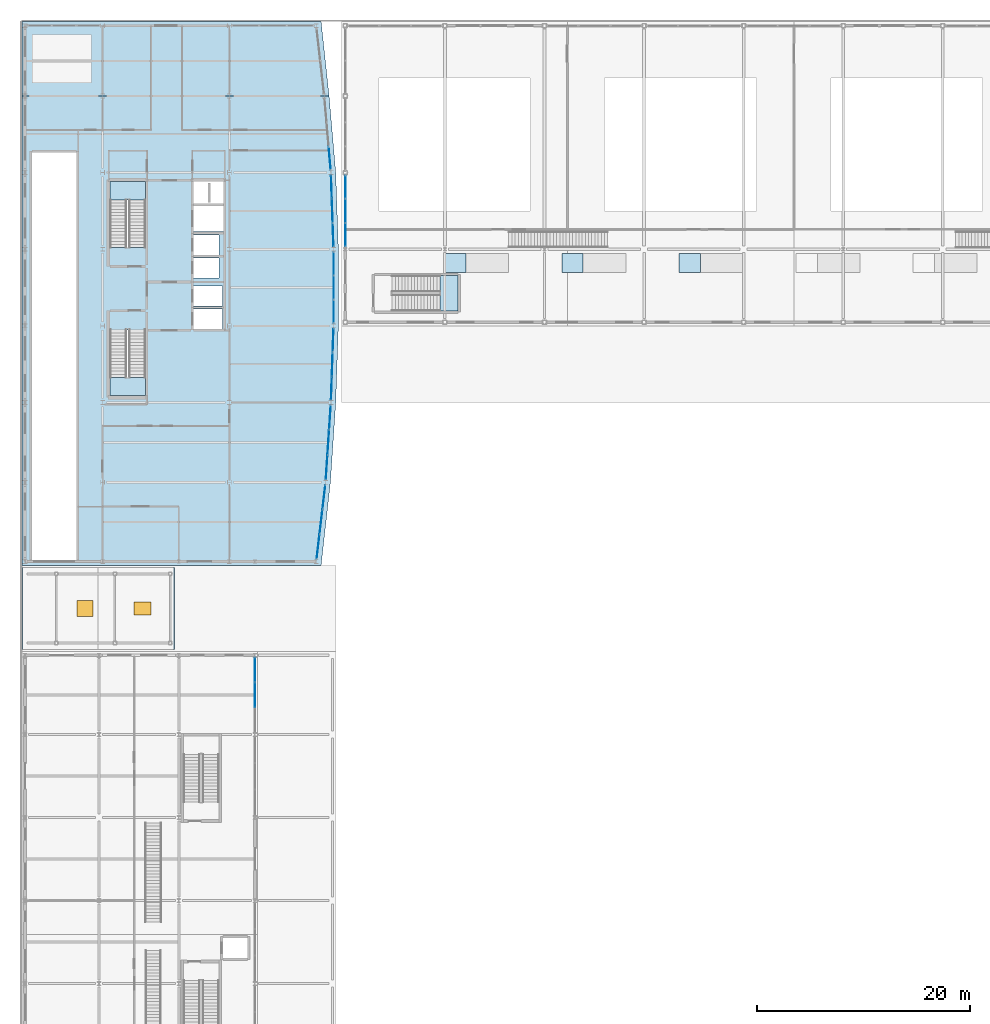
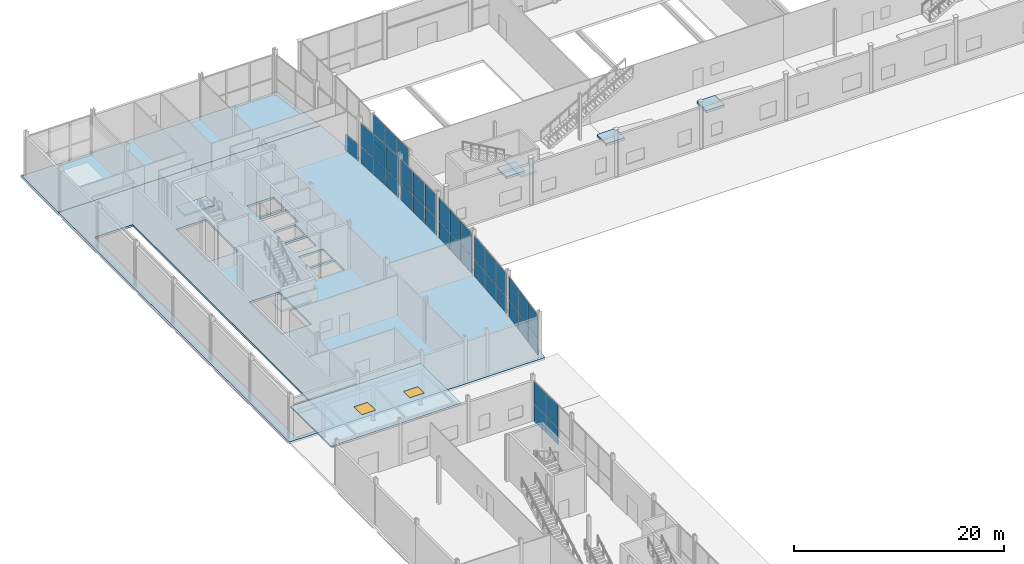
# One storey, part 56 of 83: 41 plates, 9 slabs, 2 windows, 2 openings, 11 elements without a shape of their own.
"""IFC4 building model written with IfcOpenShell, lengths in metres."""

from ifc_helpers import new_model, si_unit, direction, frame, origin, origin_2d, place, context, subcontext, project, spatial, polyline, rectangle, outline, extrude, material, layer, layer_set, type_object, element, fill, aggregate, save


model = new_model("IFC4")

# Units and contexts
model_context = context("Model", 3, precision=1e-05, world=origin(), true_north=direction((0.0, 1.0)))
body_context = subcontext(model_context, "Body", "Model", "MODEL_VIEW")
ifc_project = project(units=[si_unit("LENGTHUNIT", "METRE"), si_unit("AREAUNIT", "SQUARE_METRE"), si_unit("VOLUMEUNIT", "CUBIC_METRE"), si_unit("PLANEANGLEUNIT", "RADIAN"), si_unit("MASSUNIT", "GRAM", prefix="KILO")], contexts=[model_context])

# Site, building, storey
site_placement = place(None, origin())
site = spatial("IfcSite", under=ifc_project, at=site_placement, CompositionType="ELEMENT")
building_placement = place(site_placement, origin())
building = spatial("IfcBuilding", under=site, at=building_placement, Name="Quillay Park Conservatory", CompositionType="ELEMENT")
storey_placement = place(building_placement, origin())
storey = spatial("IfcBuildingStorey", under=building, at=storey_placement, Name="L00", CompositionType="ELEMENT", Elevation=0.0)

# Curtain wall, plates
ifc_material_1 = material(Name="Thermally Broken Anodised Aluminium 6063-T6", Category="aluminium")
ifc_layer_1 = layer(ifc_material_1, 0.179931640625)
ifc_layer_set_1 = layer_set([ifc_layer_1], Name="UNITISED CURTAIN WALL TOWER (Thermally Broken Anodised Aluminium 6063-T6)")
curtain_wall_type_1 = type_object("IfcCurtainWallType", Name="UNITISED CURTAIN WALL TOWER", PredefinedType="USERDEFINED", material=ifc_layer_set_1)
curtain_wall_1_placement = place(storey_placement, origin())
curtain_wall_1 = element("IfcCurtainWall", 1, at=curtain_wall_1_placement, inside=storey, type_object=curtain_wall_type_1, Name="L00 Unitised Curtain Wall 001", ObjectType="UNITISED CURTAIN WALL", PredefinedType="USERDEFINED")
ifc_material_2 = material(Name="Low-E Double Glazing (Laminated Tempered)", Category="glass")
ifc_layer_2 = layer(ifc_material_2, 0.028076171875)
ifc_layer_set_2 = layer_set([ifc_layer_2], Name="CURTAIN WALL GLAZED PANEL 28 (Low-E Double Glazing (Laminated Tempered))")
plate_type_1 = type_object("IfcPlateType", Name="CURTAIN WALL GLAZED PANEL 28", PredefinedType="CURTAIN_PANEL", material=ifc_layer_set_2)
plate_1_placement = place(storey_placement, frame((28.636474609375, 69.108642578125, 0.06982421875), z_axis=(0.0, 0.0, 1.0), x_axis=(-0.116654959918, -0.993172502804, 0.0)))
plate_1 = element("IfcPlate", 2, at=plate_1_placement, type_object=plate_type_1, Name="CW-T1 panel 1.1", PredefinedType="CURTAIN_PANEL", context=body_context, shape_type="SweptSolid", body=[
    extrude(rectangle(XDim=2.26220703125, YDim=0.028076171875, at=origin_2d()), origin(), (0.0, 0.0, 1.0), 1.906494140625),
])
plate_2_placement = place(storey_placement, frame((28.636474609375, 69.108642578125, 2.04638671875), z_axis=(0.0, 0.0, 1.0), x_axis=(-0.116654959918, -0.993172502804, 0.0)))
plate_2 = element("IfcPlate", 3, at=plate_2_placement, type_object=plate_type_1, Name="CW-T1 panel 1.2", PredefinedType="CURTAIN_PANEL", context=body_context, shape_type="SweptSolid", body=[
    extrude(rectangle(XDim=2.26220703125, YDim=0.028076171875, at=origin_2d()), origin(), (0.0, 0.0, 1.0), 2.672607421875),
])
plate_3_placement = place(storey_placement, frame((28.362548828125, 66.77490234375, 0.06982421875), z_axis=(0.0, 0.0, 1.0), x_axis=(-0.116654959918, -0.993172502804, 0.0)))
plate_3 = element("IfcPlate", 4, at=plate_3_placement, type_object=plate_type_1, Name="CW-T1 panel 2.1", PredefinedType="CURTAIN_PANEL", context=body_context, shape_type="SweptSolid", body=[
    extrude(rectangle(XDim=2.297119140625, YDim=0.028076171875, at=origin_2d()), origin(), (0.0, 0.0, 1.0), 1.906494140625),
])
plate_4_placement = place(storey_placement, frame((28.362548828125, 66.77490234375, 2.04638671875), z_axis=(0.0, 0.0, 1.0), x_axis=(-0.116654959918, -0.993172502804, 0.0)))
plate_4 = element("IfcPlate", 5, at=plate_4_placement, type_object=plate_type_1, Name="CW-T1 panel 2.2", PredefinedType="CURTAIN_PANEL", context=body_context, shape_type="SweptSolid", body=[
    extrude(rectangle(XDim=2.297119140625, YDim=0.028076171875, at=origin_2d()), origin(), (0.0, 0.0, 1.0), 2.672607421875),
])
plate_5_placement = place(storey_placement, frame((28.08837890625, 64.44140625, 0.06982421875), z_axis=(0.0, 0.0, 1.0), x_axis=(-0.116654959918, -0.993172502804, 0.0)))
plate_5 = element("IfcPlate", 6, at=plate_5_placement, type_object=plate_type_1, Name="CW-T1 panel 3.1", PredefinedType="CURTAIN_PANEL", context=body_context, shape_type="SweptSolid", body=[
    extrude(rectangle(XDim=2.26220703125, YDim=0.028076171875, at=origin_2d()), origin(), (0.0, 0.0, 1.0), 1.906494140625),
])
plate_6_placement = place(storey_placement, frame((28.08837890625, 64.44140625, 2.04638671875), z_axis=(0.0, 0.0, 1.0), x_axis=(-0.116654959918, -0.993172502804, 0.0)))
plate_6 = element("IfcPlate", 7, at=plate_6_placement, type_object=plate_type_1, Name="CW-T1 panel 3.2", PredefinedType="CURTAIN_PANEL", context=body_context, shape_type="SweptSolid", body=[
    extrude(rectangle(XDim=2.26220703125, YDim=0.028076171875, at=origin_2d()), origin(), (0.0, 0.0, 1.0), 2.672607421875),
])
aggregate(curtain_wall_1, [plate_1, plate_2, plate_3, plate_4, plate_5, plate_6])

curtain_wall_2_placement = place(storey_placement, origin())
curtain_wall_2 = element("IfcCurtainWall", 8, at=curtain_wall_2_placement, inside=storey, type_object=curtain_wall_type_1, Name="L00 Unitised Curtain Wall 002", ObjectType="UNITISED CURTAIN WALL", PredefinedType="USERDEFINED")
plate_7_placement = place(storey_placement, frame((29.20654296875, 76.599365234375, 0.06982421875), z_axis=(0.0, 0.0, 1.0), x_axis=(-0.0665208758, -0.997785033503, 0.0)))
plate_7 = element("IfcPlate", 9, at=plate_7_placement, type_object=plate_type_1, Name="CW-T1 panel 1.1", PredefinedType="CURTAIN_PANEL", context=body_context, shape_type="SweptSolid", body=[
    extrude(rectangle(XDim=2.26708984375, YDim=0.028076171875, at=origin_2d()), origin(), (0.0, 0.0, 1.0), 1.906494140625),
])
plate_8_placement = place(storey_placement, frame((29.20654296875, 76.599365234375, 2.04638671875), z_axis=(0.0, 0.0, 1.0), x_axis=(-0.0665208758, -0.997785033503, 0.0)))
plate_8 = element("IfcPlate", 10, at=plate_8_placement, type_object=plate_type_1, Name="CW-T1 panel 1.2", PredefinedType="CURTAIN_PANEL", context=body_context, shape_type="SweptSolid", body=[
    extrude(rectangle(XDim=2.26708984375, YDim=0.028076171875, at=origin_2d()), origin(), (0.0, 0.0, 1.0), 2.672607421875),
])
plate_9_placement = place(storey_placement, frame((29.050048828125, 74.25, 0.06982421875), z_axis=(0.0, 0.0, 1.0), x_axis=(-0.0665208758, -0.997785033503, 0.0)))
plate_9 = element("IfcPlate", 11, at=plate_9_placement, type_object=plate_type_1, Name="CW-T1 panel 2.1", PredefinedType="CURTAIN_PANEL", context=body_context, shape_type="SweptSolid", body=[
    extrude(rectangle(XDim=2.30224609375, YDim=0.028076171875, at=origin_2d()), origin(), (0.0, 0.0, 1.0), 1.906494140625),
])
plate_10_placement = place(storey_placement, frame((29.050048828125, 74.25, 2.04638671875), z_axis=(0.0, 0.0, 1.0), x_axis=(-0.0665208758, -0.997785033503, 0.0)))
plate_10 = element("IfcPlate", 12, at=plate_10_placement, type_object=plate_type_1, Name="CW-T1 panel 2.2", PredefinedType="CURTAIN_PANEL", context=body_context, shape_type="SweptSolid", body=[
    extrude(rectangle(XDim=2.30224609375, YDim=0.028076171875, at=origin_2d()), origin(), (0.0, 0.0, 1.0), 2.672607421875),
])
plate_11_placement = place(storey_placement, frame((28.893310546875, 71.900634765625, 0.06982421875), z_axis=(0.0, 0.0, 1.0), x_axis=(-0.0665208758, -0.997785033503, 0.0)))
plate_11 = element("IfcPlate", 13, at=plate_11_placement, type_object=plate_type_1, Name="CW-T1 panel 3.1", PredefinedType="CURTAIN_PANEL", context=body_context, shape_type="SweptSolid", body=[
    extrude(rectangle(XDim=2.26708984375, YDim=0.028076171875, at=origin_2d()), origin(), (0.0, 0.0, 1.0), 1.906494140625),
])
plate_12_placement = place(storey_placement, frame((28.893310546875, 71.900634765625, 2.04638671875), z_axis=(0.0, 0.0, 1.0), x_axis=(-0.0665208758, -0.997785033503, 0.0)))
plate_12 = element("IfcPlate", 14, at=plate_12_placement, type_object=plate_type_1, Name="CW-T1 panel 3.2", PredefinedType="CURTAIN_PANEL", context=body_context, shape_type="SweptSolid", body=[
    extrude(rectangle(XDim=2.26708984375, YDim=0.028076171875, at=origin_2d()), origin(), (0.0, 0.0, 1.0), 2.672607421875),
])
aggregate(curtain_wall_2, [plate_7, plate_8, plate_9, plate_10, plate_11, plate_12])

curtain_wall_3_placement = place(storey_placement, origin())
curtain_wall_3 = element("IfcCurtainWall", 15, at=curtain_wall_3_placement, inside=storey, type_object=curtain_wall_type_1, Name="L00 Unitised Curtain Wall 003", ObjectType="UNITISED CURTAIN WALL", PredefinedType="USERDEFINED")
plate_13_placement = place(storey_placement, frame((29.503173828125, 83.849365234375, 0.06982421875), z_axis=(0.0, 0.0, 1.0), x_axis=(-0.034713338537, -0.999397310446, 0.0)))
plate_13 = element("IfcPlate", 16, at=plate_13_placement, type_object=plate_type_1, Name="CW-T1 panel 1.1", PredefinedType="CURTAIN_PANEL", context=body_context, shape_type="SweptSolid", body=[
    extrude(rectangle(XDim=2.1630859375, YDim=0.028076171875, at=origin_2d()), origin(), (0.0, 0.0, 1.0), 1.906494140625),
])
plate_14_placement = place(storey_placement, frame((29.503173828125, 83.849365234375, 2.04638671875), z_axis=(0.0, 0.0, 1.0), x_axis=(-0.034713338537, -0.999397310446, 0.0)))
plate_14 = element("IfcPlate", 17, at=plate_14_placement, type_object=plate_type_1, Name="CW-T1 panel 1.2", PredefinedType="CURTAIN_PANEL", context=body_context, shape_type="SweptSolid", body=[
    extrude(rectangle(XDim=2.1630859375, YDim=0.028076171875, at=origin_2d()), origin(), (0.0, 0.0, 1.0), 2.672607421875),
])
plate_15_placement = place(storey_placement, frame((29.425048828125, 81.60009765625, 0.06982421875), z_axis=(0.0, 0.0, 1.0), x_axis=(-0.034713338537, -0.999397310446, 0.0)))
plate_15 = element("IfcPlate", 18, at=plate_15_placement, type_object=plate_type_1, Name="CW-T1 panel 2.1", PredefinedType="CURTAIN_PANEL", context=body_context, shape_type="SweptSolid", body=[
    extrude(rectangle(XDim=2.197998046875, YDim=0.028076171875, at=origin_2d()), origin(), (0.0, 0.0, 1.0), 1.906494140625),
])
plate_16_placement = place(storey_placement, frame((29.425048828125, 81.60009765625, 2.04638671875), z_axis=(0.0, 0.0, 1.0), x_axis=(-0.034713338537, -0.999397310446, 0.0)))
plate_16 = element("IfcPlate", 19, at=plate_16_placement, type_object=plate_type_1, Name="CW-T1 panel 2.2", PredefinedType="CURTAIN_PANEL", context=body_context, shape_type="SweptSolid", body=[
    extrude(rectangle(XDim=2.197998046875, YDim=0.028076171875, at=origin_2d()), origin(), (0.0, 0.0, 1.0), 2.672607421875),
])
plate_17_placement = place(storey_placement, frame((29.346923828125, 79.350830078125, 0.06982421875), z_axis=(0.0, 0.0, 1.0), x_axis=(-0.034713338537, -0.999397310446, 0.0)))
plate_17 = element("IfcPlate", 20, at=plate_17_placement, type_object=plate_type_1, Name="CW-T1 panel 3.1", PredefinedType="CURTAIN_PANEL", context=body_context, shape_type="SweptSolid", body=[
    extrude(rectangle(XDim=2.1630859375, YDim=0.028076171875, at=origin_2d()), origin(), (0.0, 0.0, 1.0), 1.906494140625),
])
plate_18_placement = place(storey_placement, frame((29.346923828125, 79.350830078125, 2.04638671875), z_axis=(0.0, 0.0, 1.0), x_axis=(-0.034713338537, -0.999397310446, 0.0)))
plate_18 = element("IfcPlate", 21, at=plate_18_placement, type_object=plate_type_1, Name="CW-T1 panel 3.2", PredefinedType="CURTAIN_PANEL", context=body_context, shape_type="SweptSolid", body=[
    extrude(rectangle(XDim=2.1630859375, YDim=0.028076171875, at=origin_2d()), origin(), (0.0, 0.0, 1.0), 2.672607421875),
])
aggregate(curtain_wall_3, [plate_13, plate_14, plate_15, plate_16, plate_17, plate_18])

curtain_wall_4_placement = place(storey_placement, origin())
curtain_wall_4 = element("IfcCurtainWall", 22, at=curtain_wall_4_placement, inside=storey, type_object=curtain_wall_type_1, Name="L00 Unitised Curtain Wall 004", ObjectType="UNITISED CURTAIN WALL", PredefinedType="USERDEFINED")
plate_19_placement = place(storey_placement, frame((29.550048828125, 91.049072265625, 0.06982421875), z_axis=(0.0, 0.0, 1.0), x_axis=(0.0, -1.0, 0.0)))
plate_19 = element("IfcPlate", 23, at=plate_19_placement, type_object=plate_type_1, Name="CW-T1 panel 1.1", PredefinedType="CURTAIN_PANEL", context=body_context, shape_type="SweptSolid", body=[
    extrude(rectangle(XDim=2.16162109375, YDim=0.028076171875, at=origin_2d()), origin(), (0.0, 0.0, 1.0), 1.906494140625),
])
plate_20_placement = place(storey_placement, frame((29.550048828125, 91.049072265625, 2.04638671875), z_axis=(0.0, 0.0, 1.0), x_axis=(0.0, -1.0, 0.0)))
plate_20 = element("IfcPlate", 24, at=plate_20_placement, type_object=plate_type_1, Name="CW-T1 panel 1.2", PredefinedType="CURTAIN_PANEL", context=body_context, shape_type="SweptSolid", body=[
    extrude(rectangle(XDim=2.16162109375, YDim=0.028076171875, at=origin_2d()), origin(), (0.0, 0.0, 1.0), 2.672607421875),
])
plate_21_placement = place(storey_placement, frame((29.550048828125, 88.800048828125, 0.06982421875), z_axis=(0.0, 0.0, 1.0), x_axis=(0.0, -1.0, 0.0)))
plate_21 = element("IfcPlate", 25, at=plate_21_placement, type_object=plate_type_1, Name="CW-T1 panel 2.1", PredefinedType="CURTAIN_PANEL", context=body_context, shape_type="SweptSolid", body=[
    extrude(rectangle(XDim=2.19677734375, YDim=0.028076171875, at=origin_2d()), origin(), (0.0, 0.0, 1.0), 1.906494140625),
])
plate_22_placement = place(storey_placement, frame((29.550048828125, 88.800048828125, 2.04638671875), z_axis=(0.0, 0.0, 1.0), x_axis=(0.0, -1.0, 0.0)))
plate_22 = element("IfcPlate", 26, at=plate_22_placement, type_object=plate_type_1, Name="CW-T1 panel 2.2", PredefinedType="CURTAIN_PANEL", context=body_context, shape_type="SweptSolid", body=[
    extrude(rectangle(XDim=2.19677734375, YDim=0.028076171875, at=origin_2d()), origin(), (0.0, 0.0, 1.0), 2.672607421875),
])
plate_23_placement = place(storey_placement, frame((29.550048828125, 86.55078125, 0.06982421875), z_axis=(0.0, 0.0, 1.0), x_axis=(0.0, -1.0, 0.0)))
plate_23 = element("IfcPlate", 27, at=plate_23_placement, type_object=plate_type_1, Name="CW-T1 panel 3.1", PredefinedType="CURTAIN_PANEL", context=body_context, shape_type="SweptSolid", body=[
    extrude(rectangle(XDim=2.16162109375, YDim=0.028076171875, at=origin_2d()), origin(), (0.0, 0.0, 1.0), 1.906494140625),
])
plate_24_placement = place(storey_placement, frame((29.550048828125, 86.55078125, 2.04638671875), z_axis=(0.0, 0.0, 1.0), x_axis=(0.0, -1.0, 0.0)))
plate_24 = element("IfcPlate", 28, at=plate_24_placement, type_object=plate_type_1, Name="CW-T1 panel 3.2", PredefinedType="CURTAIN_PANEL", context=body_context, shape_type="SweptSolid", body=[
    extrude(rectangle(XDim=2.16162109375, YDim=0.028076171875, at=origin_2d()), origin(), (0.0, 0.0, 1.0), 2.672607421875),
])
aggregate(curtain_wall_4, [plate_19, plate_20, plate_21, plate_22, plate_23, plate_24])

curtain_wall_5_placement = place(storey_placement, origin())
curtain_wall_5 = element("IfcCurtainWall", 29, at=curtain_wall_5_placement, inside=storey, type_object=curtain_wall_type_1, Name="L00 Unitised Curtain Wall 005", ObjectType="UNITISED CURTAIN WALL", PredefinedType="USERDEFINED")
plate_25_placement = place(storey_placement, frame((29.346923828125, 98.249267578125, 0.06982421875), z_axis=(0.0, 0.0, 1.0), x_axis=(0.034713338537, -0.999397310446, 0.0)))
plate_25 = element("IfcPlate", 30, at=plate_25_placement, type_object=plate_type_1, Name="CW-T1 panel 1.1", PredefinedType="CURTAIN_PANEL", context=body_context, shape_type="SweptSolid", body=[
    extrude(rectangle(XDim=2.1630859375, YDim=0.028076171875, at=origin_2d()), origin(), (0.0, 0.0, 1.0), 1.906494140625),
])
plate_26_placement = place(storey_placement, frame((29.346923828125, 98.249267578125, 2.04638671875), z_axis=(0.0, 0.0, 1.0), x_axis=(0.034713338537, -0.999397310446, 0.0)))
plate_26 = element("IfcPlate", 31, at=plate_26_placement, type_object=plate_type_1, Name="CW-T1 panel 1.2", PredefinedType="CURTAIN_PANEL", context=body_context, shape_type="SweptSolid", body=[
    extrude(rectangle(XDim=2.1630859375, YDim=0.028076171875, at=origin_2d()), origin(), (0.0, 0.0, 1.0), 2.672607421875),
])
plate_27_placement = place(storey_placement, frame((29.425048828125, 96.0, 0.06982421875), z_axis=(0.0, 0.0, 1.0), x_axis=(0.034713338537, -0.999397310446, 0.0)))
plate_27 = element("IfcPlate", 32, at=plate_27_placement, type_object=plate_type_1, Name="CW-T1 panel 2.1", PredefinedType="CURTAIN_PANEL", context=body_context, shape_type="SweptSolid", body=[
    extrude(rectangle(XDim=2.197998046875, YDim=0.028076171875, at=origin_2d()), origin(), (0.0, 0.0, 1.0), 1.906494140625),
])
plate_28_placement = place(storey_placement, frame((29.425048828125, 96.0, 2.04638671875), z_axis=(0.0, 0.0, 1.0), x_axis=(0.034713338537, -0.999397310446, 0.0)))
plate_28 = element("IfcPlate", 33, at=plate_28_placement, type_object=plate_type_1, Name="CW-T1 panel 2.2", PredefinedType="CURTAIN_PANEL", context=body_context, shape_type="SweptSolid", body=[
    extrude(rectangle(XDim=2.197998046875, YDim=0.028076171875, at=origin_2d()), origin(), (0.0, 0.0, 1.0), 2.672607421875),
])
plate_29_placement = place(storey_placement, frame((29.503173828125, 93.750732421875, 0.06982421875), z_axis=(0.0, 0.0, 1.0), x_axis=(0.034713338537, -0.999397310446, 0.0)))
plate_29 = element("IfcPlate", 34, at=plate_29_placement, type_object=plate_type_1, Name="CW-T1 panel 3.1", PredefinedType="CURTAIN_PANEL", context=body_context, shape_type="SweptSolid", body=[
    extrude(rectangle(XDim=2.1630859375, YDim=0.028076171875, at=origin_2d()), origin(), (0.0, 0.0, 1.0), 1.906494140625),
])
plate_30_placement = place(storey_placement, frame((29.503173828125, 93.750732421875, 2.04638671875), z_axis=(0.0, 0.0, 1.0), x_axis=(0.034713338537, -0.999397310446, 0.0)))
plate_30 = element("IfcPlate", 35, at=plate_30_placement, type_object=plate_type_1, Name="CW-T1 panel 3.2", PredefinedType="CURTAIN_PANEL", context=body_context, shape_type="SweptSolid", body=[
    extrude(rectangle(XDim=2.1630859375, YDim=0.028076171875, at=origin_2d()), origin(), (0.0, 0.0, 1.0), 2.672607421875),
])
aggregate(curtain_wall_5, [plate_25, plate_26, plate_27, plate_28, plate_29, plate_30])

# Curtain wall, plate
curtain_wall_6_placement = place(storey_placement, origin())
curtain_wall_6 = element("IfcCurtainWall", 36, at=curtain_wall_6_placement, inside=storey, type_object=curtain_wall_type_1, Name="L00 Unitised Curtain Wall 006", ObjectType="UNITISED CURTAIN WALL", PredefinedType="USERDEFINED")
plate_31_placement = place(storey_placement, frame((29.182861328125, 100.9501953125, 0.06982421875), z_axis=(0.0, 0.0, 1.0), x_axis=(0.086480444465, -0.996253548413, 0.0)))
plate_31 = element("IfcPlate", 37, at=plate_31_placement, type_object=plate_type_1, Name="CW-T1 panel 3.1", PredefinedType="CURTAIN_PANEL", context=body_context, shape_type="SweptSolid", body=[
    extrude(rectangle(XDim=2.170654296875, YDim=0.028076171875, at=origin_2d()), origin(), (0.0, 0.0, 1.0), 1.906494140625),
])
aggregate(curtain_wall_6, [plate_31])

# Curtain wall, plates
ifc_material_3 = material(Name="Thermally Broken Anodised Aluminium 6063-T6", Category="aluminium")
ifc_layer_3 = layer(ifc_material_3, 0.1650390625)
ifc_layer_set_3 = layer_set([ifc_layer_3], Name="UNITISED CURTAIN WALL PODIUM (Thermally Broken Anodised Aluminium 6063-T6)")
curtain_wall_type_2 = type_object("IfcCurtainWallType", Name="UNITISED CURTAIN WALL PODIUM", PredefinedType="USERDEFINED", material=ifc_layer_set_3)
curtain_wall_7_placement = place(storey_placement, origin())
curtain_wall_7 = element("IfcCurtainWall", 38, at=curtain_wall_7_placement, inside=storey, type_object=curtain_wall_type_2, Name="L00 Unitised Curtain Wall 199", ObjectType="UNITISED CURTAIN WALL", PredefinedType="USERDEFINED")
plate_32_placement = place(storey_placement, frame((22.14990234375, 52.88427734375, 0.070068359375), z_axis=(0.0, 0.0, 1.0), x_axis=(0.0, -1.0, 0.0)))
plate_32 = element("IfcPlate", 39, at=plate_32_placement, type_object=plate_type_1, Name="CW-P1 panel 1.1", PredefinedType="CURTAIN_PANEL", context=body_context, shape_type="SweptSolid", body=[
    extrude(rectangle(XDim=2.271728515625, YDim=0.028076171875, at=origin_2d()), origin(), (0.0, 0.0, 1.0), 1.8896484375),
])
plate_33_placement = place(storey_placement, frame((22.14990234375, 52.88427734375, 2.029541015625), z_axis=(0.0, 0.0, 1.0), x_axis=(0.0, -1.0, 0.0)))
plate_33 = element("IfcPlate", 40, at=plate_33_placement, type_object=plate_type_1, Name="CW-P1 panel 1.2", PredefinedType="CURTAIN_PANEL", context=body_context, shape_type="SweptSolid", body=[
    extrude(rectangle(XDim=2.271728515625, YDim=0.028076171875, at=origin_2d()), origin(), (0.0, 0.0, 1.0), 2.6494140625),
])
plate_34_placement = place(storey_placement, frame((22.14990234375, 50.52490234375, 0.070068359375), z_axis=(0.0, 0.0, 1.0), x_axis=(0.0, -1.0, 0.0)))
plate_34 = element("IfcPlate", 41, at=plate_34_placement, type_object=plate_type_1, Name="CW-P1 panel 2.1", PredefinedType="CURTAIN_PANEL", context=body_context, shape_type="SweptSolid", body=[
    extrude(rectangle(XDim=2.306640625, YDim=0.028076171875, at=origin_2d()), origin(), (0.0, 0.0, 1.0), 1.8896484375),
])
plate_35_placement = place(storey_placement, frame((22.14990234375, 50.52490234375, 2.029541015625), z_axis=(0.0, 0.0, 1.0), x_axis=(0.0, -1.0, 0.0)))
plate_35 = element("IfcPlate", 42, at=plate_35_placement, type_object=plate_type_1, Name="CW-P1 panel 2.2", PredefinedType="CURTAIN_PANEL", context=body_context, shape_type="SweptSolid", body=[
    extrude(rectangle(XDim=2.306640625, YDim=0.028076171875, at=origin_2d()), origin(), (0.0, 0.0, 1.0), 2.6494140625),
])
aggregate(curtain_wall_7, [plate_32, plate_33, plate_34, plate_35])

ifc_material_4 = material(Name="Thermally Broken Anodised Aluminium 6063-T6", Category="aluminium")
ifc_layer_4 = layer(ifc_material_4, 0.219970703125)
ifc_layer_set_4 = layer_set([ifc_layer_4], Name="UNITISED CURTAIN WALL CONSERVATORY (Thermally Broken Anodised Aluminium 6063-T6)")
curtain_wall_type_3 = type_object("IfcCurtainWallType", Name="UNITISED CURTAIN WALL CONSERVATORY", PredefinedType="USERDEFINED", material=ifc_layer_set_4)
curtain_wall_8_placement = place(storey_placement, origin())
curtain_wall_8 = element("IfcCurtainWall", 43, at=curtain_wall_8_placement, inside=storey, type_object=curtain_wall_type_3, Name="L00 Unitised Curtain Wall 163", ObjectType="UNITISED CURTAIN WALL", PredefinedType="USERDEFINED")
ifc_material_5 = material(Name="Low-Iron Laminated Insulated Glazing", Category="glass")
ifc_layer_5 = layer(ifc_material_5, 0.031982421875)
ifc_layer_set_5 = layer_set([ifc_layer_5], Name="CURTAIN WALL GLAZED PANEL 32 (Low-Iron Laminated Insulated Glazing)")
plate_type_2 = type_object("IfcPlateType", Name="CURTAIN WALL GLAZED PANEL 32", PredefinedType="CURTAIN_PANEL", material=ifc_layer_set_5)
plate_36_placement = place(storey_placement, frame((30.64990234375, 93.752197265625, 0.070068359375), z_axis=(0.0, 0.0, 1.0), x_axis=(0.0, 1.0, 0.0)))
plate_36 = element("IfcPlate", 44, at=plate_36_placement, type_object=plate_type_2, Name="CW-C1 panel 1.1", PredefinedType="CURTAIN_PANEL", context=body_context, shape_type="SweptSolid", body=[
    extrude(rectangle(XDim=2.160400390625, YDim=0.031982421875, at=origin_2d()), origin(), (0.0, 0.0, 1.0), 2.1630859375),
])
plate_37_placement = place(storey_placement, frame((30.64990234375, 93.752197265625, 2.302734375), z_axis=(0.0, 0.0, 1.0), x_axis=(0.0, 1.0, 0.0)))
plate_37 = element("IfcPlate", 45, at=plate_37_placement, type_object=plate_type_2, Name="CW-C1 panel 1.2", PredefinedType="CURTAIN_PANEL", context=body_context, shape_type="SweptSolid", body=[
    extrude(rectangle(XDim=2.160400390625, YDim=0.031982421875, at=origin_2d()), origin(), (0.0, 0.0, 1.0), 3.027099609375),
])
plate_38_placement = place(storey_placement, frame((30.64990234375, 96.0, 0.070068359375), z_axis=(0.0, 0.0, 1.0), x_axis=(0.0, 1.0, 0.0)))
plate_38 = element("IfcPlate", 46, at=plate_38_placement, type_object=plate_type_2, Name="CW-C1 panel 2.1", PredefinedType="CURTAIN_PANEL", context=body_context, shape_type="SweptSolid", body=[
    extrude(rectangle(XDim=2.1953125, YDim=0.031982421875, at=origin_2d()), origin(), (0.0, 0.0, 1.0), 2.1630859375),
])
plate_39_placement = place(storey_placement, frame((30.64990234375, 96.0, 2.302734375), z_axis=(0.0, 0.0, 1.0), x_axis=(0.0, 1.0, 0.0)))
plate_39 = element("IfcPlate", 47, at=plate_39_placement, type_object=plate_type_2, Name="CW-C1 panel 2.2", PredefinedType="CURTAIN_PANEL", context=body_context, shape_type="SweptSolid", body=[
    extrude(rectangle(XDim=2.1953125, YDim=0.031982421875, at=origin_2d()), origin(), (0.0, 0.0, 1.0), 3.027099609375),
])
plate_40_placement = place(storey_placement, frame((30.64990234375, 98.247802734375, 0.070068359375), z_axis=(0.0, 0.0, 1.0), x_axis=(0.0, 1.0, 0.0)))
plate_40 = element("IfcPlate", 48, at=plate_40_placement, type_object=plate_type_2, Name="CW-C1 panel 3.1", PredefinedType="CURTAIN_PANEL", context=body_context, shape_type="SweptSolid", body=[
    extrude(rectangle(XDim=2.160400390625, YDim=0.031982421875, at=origin_2d()), origin(), (0.0, 0.0, 1.0), 2.1630859375),
])
plate_41_placement = place(storey_placement, frame((30.64990234375, 98.247802734375, 2.302734375), z_axis=(0.0, 0.0, 1.0), x_axis=(0.0, 1.0, 0.0)))
plate_41 = element("IfcPlate", 49, at=plate_41_placement, type_object=plate_type_2, Name="CW-C1 panel 3.2", PredefinedType="CURTAIN_PANEL", context=body_context, shape_type="SweptSolid", body=[
    extrude(rectangle(XDim=2.160400390625, YDim=0.031982421875, at=origin_2d()), origin(), (0.0, 0.0, 1.0), 3.027099609375),
])
aggregate(curtain_wall_8, [plate_36, plate_37, plate_38, plate_39, plate_40, plate_41])

# Slab, openings, windows
ifc_material_6 = material(Name="Concrete C35/45 (NCh170 Concrete C35/45)", Category="concrete")
ifc_layer_6 = layer(ifc_material_6, 0.159912109375)
ifc_layer_set_6 = layer_set([ifc_layer_6], Name="FLAT ROOF SLAB 160 (Concrete C35/45 (NCh170 Concrete C35/45))")
slab_type_1 = type_object("IfcSlabType", Name="FLAT ROOF SLAB 160", PredefinedType="ROOF", material=ifc_layer_set_6)
slab_1_placement = place(storey_placement, frame((0.0, 0.0, 4.139892578125)))
slab_1 = element("IfcSlab", 50, at=slab_1_placement, inside=storey, type_object=slab_type_1, Name="Forecourt Entrance Canopy EC-1 Faceted Roof Slab", PredefinedType="ROOF", context=body_context, shape_type="SweptSolid", body=[
    extrude(outline(polyline([(0.25, 54.800048828125), (14.60009765625, 54.800048828125), (14.60009765625, 62.5), (0.25, 62.5), (0.25, 54.800048828125)])), origin(), (0.0, 0.0, 1.0), 0.16015625),
])
opening_1_placement = place(slab_1_placement, frame((6.199951171875, 58.64990234375, 0.0)))
opening_1 = element("IfcOpeningElement", 51, at=opening_1_placement, cuts=slab_1, Name="Opening RH-05", PredefinedType="OPENING", context=body_context, shape_type="SweptSolid", body=[
    extrude(rectangle(XDim=1.5, YDim=1.5, at=origin_2d()), origin(), (0.0, 0.0, 1.0), 0.16015625),
])
opening_2_placement = place(slab_1_placement, frame((11.60009765625, 58.64990234375, 0.0)))
opening_2 = element("IfcOpeningElement", 52, at=opening_2_placement, cuts=slab_1, Name="Opening RH-06", PredefinedType="OPENING", context=body_context, shape_type="SweptSolid", body=[
    extrude(rectangle(XDim=1.60009765625, YDim=1.199951171875, at=origin_2d()), origin(), (0.0, 0.0, 1.0), 0.16015625),
])
ifc_material_7 = material(Name="Thermally Broken Anodised Aluminium 6063-T6", Category="aluminium")
window_type_1 = type_object("IfcWindowType", Name="ROOF ACCESS HATCH 1500 X1500", PartitioningType="SINGLE_PANEL", PredefinedType="SKYLIGHT", material=ifc_material_7)
window_1_placement = place(opening_1_placement, frame((0.0, 0.0, 0.110107421875)))
window_1 = element("IfcWindow", 53, at=window_1_placement, inside=storey, type_object=window_type_1, Name="L00 Roof Access Hatch RH-05", OverallHeight=1.5, OverallWidth=1.5, PartitioningType="SINGLE_PANEL", PredefinedType="SKYLIGHT", context=body_context, shape_type="SweptSolid", body=[
    extrude(rectangle(XDim=1.5, YDim=1.5, at=origin_2d()), origin(), (0.0, 0.0, 1.0), 0.050048828125),
])
fill(opening_1, window_1)
ifc_material_8 = material(Name="Thermally Broken Anodised Aluminium 6063-T6", Category="aluminium")
window_type_2 = type_object("IfcWindowType", Name="ROOF ACCESS HATCH 1600 X1200", PartitioningType="SINGLE_PANEL", PredefinedType="SKYLIGHT", material=ifc_material_8)
window_2_placement = place(opening_2_placement, frame((0.0, 0.0, 0.110107421875)))
window_2 = element("IfcWindow", 54, at=window_2_placement, inside=storey, type_object=window_type_2, Name="L00 Roof Access Hatch RH-06", OverallHeight=1.199951171875, OverallWidth=1.60009765625, PartitioningType="SINGLE_PANEL", PredefinedType="SKYLIGHT", context=body_context, shape_type="SweptSolid", body=[
    extrude(rectangle(XDim=1.60009765625, YDim=1.199951171875, at=origin_2d()), origin(), (0.0, 0.0, 1.0), 0.050048828125),
])
fill(opening_2, window_2)

# Slabs
ifc_material_9 = material(Name="Concrete C35/45 (NCh170 Concrete C35/45)", Category="concrete")
ifc_layer_7 = layer(ifc_material_9, 0.25)
ifc_layer_set_7 = layer_set([ifc_layer_7], Name="RAMP LANDING SLAB 250 (Concrete C35/45 (NCh170 Concrete C35/45))")
slab_type_2 = type_object("IfcSlabType", Name="RAMP LANDING SLAB 250", PredefinedType="LANDING", material=ifc_layer_set_7)
slab_2_placement = place(storey_placement, origin())
element("IfcSlab", 55, at=slab_2_placement, inside=storey, type_object=slab_type_2, Name="RAMP-PED-1 Accessible Landing Platform", PredefinedType="LANDING", context=body_context, shape_type="SweptSolid", body=[
    extrude(outline(polyline([(40.0, 90.199951171875), (42.0, 90.199951171875), (42.0, 92.0), (40.0, 92.0), (40.0, 90.199951171875)])), origin(), (0.0, 0.0, 1.0), 0.280029296875),
])
slab_3_placement = place(storey_placement, origin())
element("IfcSlab", 56, at=slab_3_placement, inside=storey, type_object=slab_type_2, Name="RAMP-PED-2 Accessible Landing Platform", PredefinedType="LANDING", context=body_context, shape_type="SweptSolid", body=[
    extrude(outline(polyline([(51.0, 90.199951171875), (53.0, 90.199951171875), (53.0, 92.0), (51.0, 92.0), (51.0, 90.199951171875)])), origin(), (0.0, 0.0, 1.0), 0.280029296875),
])
slab_4_placement = place(storey_placement, origin())
element("IfcSlab", 57, at=slab_4_placement, inside=storey, type_object=slab_type_2, Name="RAMP-PED-3 Accessible Landing Platform", PredefinedType="LANDING", context=body_context, shape_type="SweptSolid", body=[
    extrude(outline(polyline([(62.0, 90.199951171875), (64.0, 90.199951171875), (64.0, 92.0), (62.0, 92.0), (62.0, 90.199951171875)])), origin(), (0.0, 0.0, 1.0), 0.280029296875),
])

# Stair, slab
ifc_material_10 = material(Name="Concrete C35/45 (NCh170 Concrete C35/45)", Category="concrete")
stair_type = type_object("IfcStairType", Name="ENCLOSED DOG LEG STAIR 5400", PredefinedType="HALF_TURN_STAIR", material=ifc_material_10)
stair_1_placement = place(storey_placement, origin())
stair_1 = element("IfcStair", 58, at=stair_1_placement, inside=storey, type_object=stair_type, Name="L00 Tower Protected Exit Stair 1", PredefinedType="HALF_TURN_STAIR")
ifc_material_11 = material(Name="Concrete C35/45 (NCh170 Concrete C35/45)", Category="concrete")
ifc_layer_8 = layer(ifc_material_11, 0.199951171875)
ifc_layer_set_8 = layer_set([ifc_layer_8], Name="STAIR LANDING SLAB 200 (Concrete C35/45 (NCh170 Concrete C35/45))")
slab_type_3 = type_object("IfcSlabType", Name="STAIR LANDING SLAB 200", PredefinedType="LANDING", material=ifc_layer_set_8)
slab_5_placement = place(storey_placement, frame((0.0, 0.0, 2.5)))
slab_5 = element("IfcSlab", 59, at=slab_5_placement, type_object=slab_type_3, Name="ST-T1 landing 1", PredefinedType="LANDING", context=body_context, shape_type="SweptSolid", body=[
    extrude(outline(polyline([(11.8701171875, 97.050048828125), (11.8701171875, 98.75), (8.550048828125, 98.75), (8.550048828125, 97.050048828125), (11.8701171875, 97.050048828125)])), origin(), (0.0, 0.0, 1.0), 0.199951171875),
])
aggregate(stair_1, [slab_5])

stair_2_placement = place(storey_placement, origin())
stair_2 = element("IfcStair", 60, at=stair_2_placement, inside=storey, type_object=stair_type, Name="L00 Tower Protected Exit Stair 2", PredefinedType="HALF_TURN_STAIR")
slab_6_placement = place(storey_placement, frame((0.0, 0.0, 2.5)))
slab_6 = element("IfcSlab", 61, at=slab_6_placement, type_object=slab_type_3, Name="ST-T2 landing 1", PredefinedType="LANDING", context=body_context, shape_type="SweptSolid", body=[
    extrude(outline(polyline([(8.550048828125, 80.35009765625), (8.550048828125, 78.64990234375), (11.8701171875, 78.64990234375), (11.8701171875, 80.35009765625), (8.550048828125, 80.35009765625)])), origin(), (0.0, 0.0, 1.0), 0.199951171875),
])
aggregate(stair_2, [slab_6])

stair_3_placement = place(storey_placement, origin())
stair_3 = element("IfcStair", 62, at=stair_3_placement, inside=storey, type_object=stair_type, Name="L00 Conservatory Canopy Stair 1", PredefinedType="HALF_TURN_STAIR")
slab_7_placement = place(storey_placement, frame((0.0, 0.0, 2.5)))
slab_7 = element("IfcSlab", 63, at=slab_7_placement, type_object=slab_type_3, Name="ST-C1 landing 1", PredefinedType="LANDING", context=body_context, shape_type="SweptSolid", body=[
    extrude(outline(polyline([(39.550048828125, 86.60009765625), (41.25, 86.60009765625), (41.25, 89.919921875), (39.550048828125, 89.919921875), (39.550048828125, 86.60009765625)])), origin(), (0.0, 0.0, 1.0), 0.199951171875),
])
aggregate(stair_3, [slab_7])

# Slabs
ifc_material_12 = material(Name="Concrete C35/45 (NCh170 Concrete C35/45)", Category="concrete")
ifc_layer_9 = layer(ifc_material_12, 0.25)
ifc_layer_set_9 = layer_set([ifc_layer_9], Name="SUSPENDED FLOOR SLAB 250 (Concrete C35/45 (NCh170 Concrete C35/45))")
slab_type_4 = type_object("IfcSlabType", Name="SUSPENDED FLOOR SLAB 250", PredefinedType="FLOOR", material=ifc_layer_set_9)
slab_8_placement = place(storey_placement, frame((0.0, 0.0, -0.25)))
element("IfcSlab", 64, at=slab_8_placement, inside=storey, type_object=slab_type_4, Name="L00 Research Tower South Chord Plate", PredefinedType="FLOOR", context=body_context, shape_type="SweptSolid", body=[
    extrude(outline(polyline([(0.25, 62.699951171875), (28.375, 62.699951171875), (29.25, 70.5), (29.75, 78.0), (30.0, 85.199951171875), (30.0, 92.39990234375), (29.75, 99.60009765625), (29.125, 106.800048828125), (0.25, 106.800048828125), (0.25, 62.699951171875)]), holes=[polyline([(8.550048828125, 92.580078125), (11.8701171875, 92.580078125), (11.8701171875, 98.75), (8.550048828125, 98.75), (8.550048828125, 92.580078125)]), polyline([(8.550048828125, 78.64990234375), (11.8701171875, 78.64990234375), (11.8701171875, 84.820068359375), (8.550048828125, 84.820068359375), (8.550048828125, 78.64990234375)]), polyline([(16.39990234375, 84.89990234375), (19.10009765625, 84.89990234375), (19.10009765625, 86.800048828125), (16.39990234375, 86.800048828125), (16.39990234375, 84.89990234375)]), polyline([(16.39990234375, 87.050048828125), (19.10009765625, 87.050048828125), (19.10009765625, 88.949951171875), (16.39990234375, 88.949951171875), (16.39990234375, 87.050048828125)]), polyline([(16.39990234375, 89.699951171875), (18.800048828125, 89.699951171875), (18.800048828125, 91.60009765625), (16.39990234375, 91.60009765625), (16.39990234375, 89.699951171875)]), polyline([(16.39990234375, 91.85009765625), (18.800048828125, 91.85009765625), (18.800048828125, 93.75), (16.39990234375, 93.75), (16.39990234375, 91.85009765625)]), polyline([(16.39990234375, 94.050048828125), (19.300048828125, 94.050048828125), (19.300048828125, 96.449951171875), (16.39990234375, 96.449951171875), (16.39990234375, 94.050048828125)]), polyline([(16.39990234375, 96.699951171875), (19.300048828125, 96.699951171875), (19.300048828125, 98.75), (16.39990234375, 98.75), (16.39990234375, 96.699951171875)]), polyline([(1.199951171875, 63.10009765625), (5.39990234375, 63.10009765625), (5.39990234375, 101.5), (1.199951171875, 101.5), (1.199951171875, 63.10009765625)])]), origin(), (0.0, 0.0, 1.0), 0.25),
])
slab_9_placement = place(storey_placement, frame((0.0, 0.0, -0.25)))
element("IfcSlab", 65, at=slab_9_placement, inside=storey, type_object=slab_type_4, Name="L00 Research Tower North Chord Plate", PredefinedType="FLOOR", context=body_context, shape_type="SweptSolid", body=[
    extrude(outline(polyline([(0.25, 106.800048828125), (29.125, 106.800048828125), (28.375, 113.800048828125), (0.25, 113.800048828125), (0.25, 106.800048828125)])), origin(), (0.0, 0.0, 1.0), 0.25),
])

save(model, "model.ifc")
